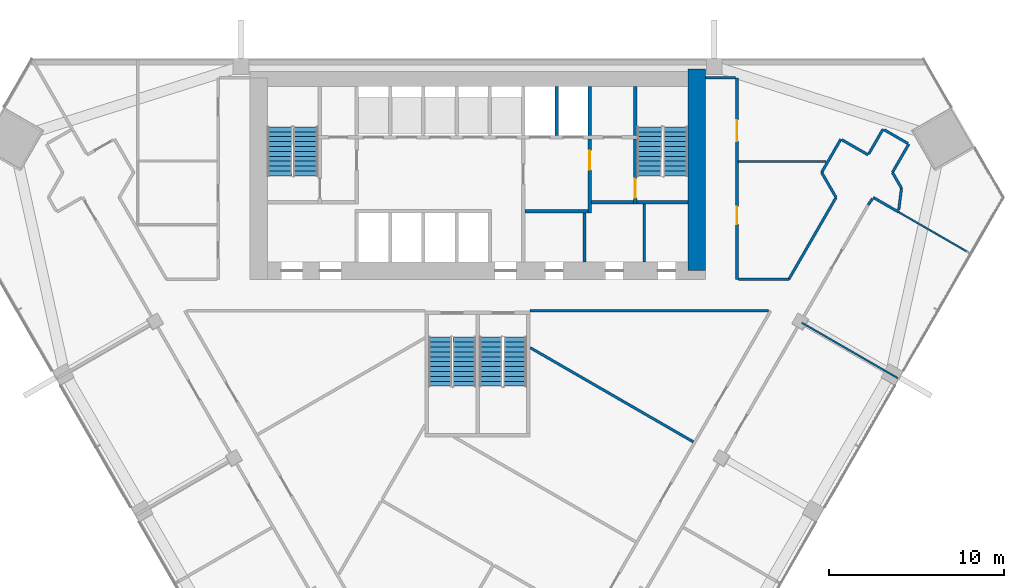
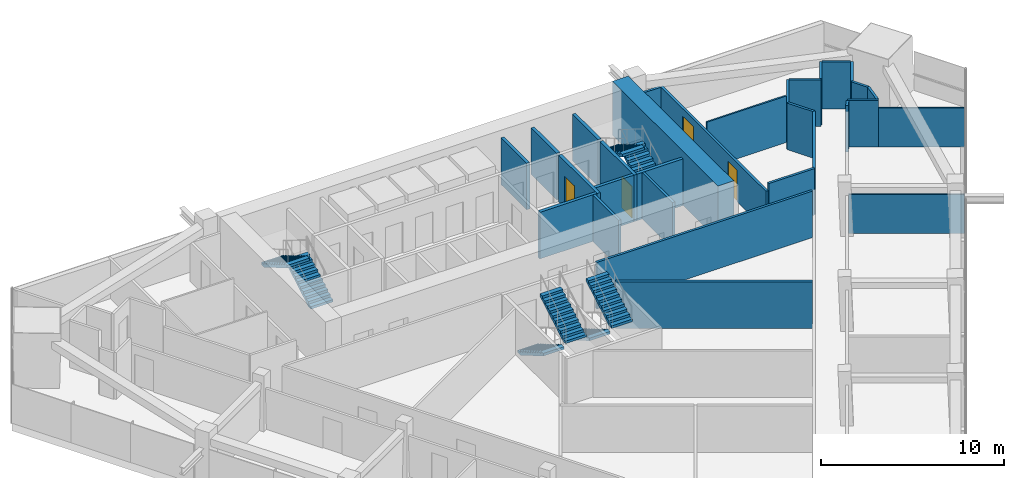
# One storey, part 11 of 13: 30 walls, 8 stair flights, 4 doors, 4 openings, 4 elements without a shape of their own.
"""IFC4 building model written with IfcOpenShell, lengths in metres."""

from ifc_helpers import new_model, si_unit, direction, frame, frame_2d, origin, place, context, subcontext, project, spatial, polyline, rectangle, outline, extrude, material, layer, layer_set, type_object, element, fill, aggregate, save


model = new_model("IFC4")

# Units and contexts
model_context = context("Model", 3, precision=1e-05, world=origin(), true_north=direction((0.0, 1.0)))
body_context = subcontext(model_context, "Body", "Model", "MODEL_VIEW")
ifc_project = project(units=[si_unit("LENGTHUNIT", "METRE"), si_unit("AREAUNIT", "SQUARE_METRE"), si_unit("VOLUMEUNIT", "CUBIC_METRE"), si_unit("PLANEANGLEUNIT", "RADIAN"), si_unit("MASSUNIT", "GRAM", prefix="KILO")], contexts=[model_context])

# Site, building, storey
site_placement = place(None, origin())
site = spatial("IfcSite", under=ifc_project, at=site_placement, CompositionType="ELEMENT")
building_placement = place(site_placement, origin())
building = spatial("IfcBuilding", under=site, at=building_placement, Name="Altiplano Prism Tower", CompositionType="ELEMENT")
storey_placement = place(building_placement, frame((0.0, 0.0, 66.60009765625)))
storey = spatial("IfcBuildingStorey", under=building, at=storey_placement, Name="L16", CompositionType="ELEMENT", Elevation=66.60009765625)

# Walls
ifc_material_1 = material(Name="Concrete C70/85", Category="concrete")
ifc_layer_1 = layer(ifc_material_1, 1.0)
ifc_layer_set_1 = layer_set([ifc_layer_1], Name="Concrete C70/85")
wall_type_1 = type_object("IfcWallType", Name="Core wall 1000", PredefinedType="SHEAR", material=ifc_layer_set_1)
wall_1_placement = place(storey_placement, frame((97.5, 92.89990234375, 0.0), z_axis=(0.0, 0.0, 1.0), x_axis=(0.0, 1.0, 0.0)))
element("IfcWall", 1, at=wall_1_placement, inside=storey, type_object=wall_type_1, Name="Core wall E L16", PredefinedType="SHEAR", context=body_context, shape_type="SweptSolid", body=[
    extrude(rectangle(XDim=11.5, YDim=1.0, at=frame_2d((5.75, 0.0))), origin(), (0.0, 0.0, 1.0), 3.599853515625),
])
ifc_material_2 = material(Name="Plasterboard on steel stud", Category="steel")
ifc_layer_2 = layer(ifc_material_2, 0.10009765625)
ifc_layer_set_2 = layer_set([ifc_layer_2], Name="Plasterboard on steel stud")
wall_type_2 = type_object("IfcWallType", Name="Partition 100 wet", PredefinedType="PARTITIONING", material=ifc_layer_set_2)
wall_2_placement = place(storey_placement, frame((108.969970703125, 86.765380859375, 0.0), z_axis=(0.0, 0.0, 1.0), x_axis=(-0.866032601554, 0.49998753289, 0.0)))
element("IfcWall", 2, at=wall_2_placement, inside=storey, type_object=wall_type_2, Name="Partition P03 L16 048", PredefinedType="PARTITIONING", context=body_context, shape_type="SweptSolid", body=[
    extrude(rectangle(XDim=6.324951171875, YDim=0.10009765625, at=frame_2d((3.16259765625, 0.0))), origin(), (0.0, 0.0, 1.0), 2.599853515625),
])
wall_3_placement = place(storey_placement, frame((113.0849609375, 93.892822265625, 0.0), z_axis=(0.0, 0.0, 1.0), x_axis=(-0.866038532462, 0.499977259774, 0.0)))
element("IfcWall", 3, at=wall_3_placement, inside=storey, type_object=wall_type_2, Name="Partition P03 L16 049", PredefinedType="PARTITIONING", context=body_context, shape_type="SweptSolid", body=[
    extrude(rectangle(XDim=4.699951171875, YDim=0.10009765625, at=frame_2d((2.35009765625, 0.0))), origin(), (0.0, 0.0, 1.0), 2.599853515625),
])
wall_4_placement = place(storey_placement, frame((99.875, 99.11865234375, 0.0), z_axis=(0.0, 0.0, 1.0), x_axis=(1.0, 0.0, 0.0)))
element("IfcWall", 4, at=wall_4_placement, inside=storey, type_object=wall_type_2, Name="Partition P03 L16 058", PredefinedType="PARTITIONING", context=body_context, shape_type="SweptSolid", body=[
    extrude(rectangle(XDim=4.995361328125, YDim=0.10009765625, at=frame_2d((2.49755859375, 0.0))), origin(), (0.0, 0.0, 1.0), 3.099853515625),
])
ifc_layer_3 = layer(ifc_material_2, 0.14990234375)
ifc_layer_set_3 = layer_set([ifc_layer_3], Name="Plasterboard on steel stud")
wall_type_3 = type_object("IfcWallType", Name="Partition 150 corridor", PredefinedType="PARTITIONING", material=ifc_layer_set_3)
wall_5_placement = place(storey_placement, frame((107.28564453125, 96.64794921875, 0.0), z_axis=(0.0, 0.0, 1.0), x_axis=(0.565021791191, 0.82507598164, 0.0)))
element("IfcWall", 5, at=wall_5_placement, inside=storey, type_object=wall_type_3, Name="Partition P06 L16 017", PredefinedType="PARTITIONING", context=body_context, shape_type="SweptSolid", body=[
    extrude(rectangle(XDim=0.440185546875, YDim=0.14990234375, at=frame_2d((0.22021484375, 0.0))), origin(), (0.0, 0.0, 1.0), 3.099853515625),
])
wall_6_placement = place(storey_placement, frame((107.57666015625, 97.072998046875, 0.0), z_axis=(0.0, 0.0, 1.0), x_axis=(0.865999293341, -0.500045221889, 0.0)))
element("IfcWall", 6, at=wall_6_placement, inside=storey, type_object=wall_type_3, Name="Partition P06 L16 018", PredefinedType="PARTITIONING", context=body_context, shape_type="SweptSolid", body=[
    extrude(rectangle(XDim=1.680419921875, YDim=0.14990234375, at=frame_2d((0.84033203125, 0.0))), origin(), (0.0, 0.0, 1.0), 3.099853515625),
])
wall_7_placement = place(storey_placement, frame((88.0, 90.59912109375, 0.0), z_axis=(0.0, 0.0, 1.0), x_axis=(0.999999997416, 7.1882974e-05, 0.0)))
element("IfcWall", 7, at=wall_7_placement, inside=storey, type_object=wall_type_3, Name="Partition P06 L16 021", PredefinedType="PARTITIONING", context=body_context, shape_type="SweptSolid", body=[
    extrude(rectangle(XDim=13.58544921875, YDim=0.14990234375, at=frame_2d((6.792724609375, 0.0))), origin(), (0.0, 0.0, 1.0), 3.099853515625),
])
wall_8_placement = place(storey_placement, frame((99.72509765625, 103.89990234375, 0.0), z_axis=(0.0, 0.0, 1.0), x_axis=(-1.0, 0.0, 0.0)))
element("IfcWall", 8, at=wall_8_placement, inside=storey, type_object=wall_type_3, Name="Partition P06 L16 023", PredefinedType="PARTITIONING", context=body_context, shape_type="SweptSolid", body=[
    extrude(rectangle(XDim=1.72509765625, YDim=0.14990234375, at=frame_2d((0.862548828125, 0.0))), origin(), (0.0, 0.0, 1.0), 2.599853515625),
])
wall_9_placement = place(storey_placement, frame((109.029052734375, 96.354736328125, 0.0), z_axis=(0.0, 0.0, 1.0), x_axis=(0.126039175565, 0.992025264912, 0.0)))
element("IfcWall", 9, at=wall_9_placement, inside=storey, type_object=wall_type_3, Name="Partition P06 L16 024", PredefinedType="PARTITIONING", context=body_context, shape_type="SweptSolid", body=[
    extrude(rectangle(XDim=1.259033203125, YDim=0.14990234375, at=frame_2d((0.62939453125, 0.0))), origin(), (0.0, 0.0, 1.0), 3.099853515625),
])
wall_10_placement = place(storey_placement, frame((109.187744140625, 97.603759765625, 0.0), z_axis=(0.0, 0.0, 1.0), x_axis=(-0.500096801311, 0.865969508308, 0.0)))
element("IfcWall", 10, at=wall_10_placement, inside=storey, type_object=wall_type_3, Name="Partition P06 L16 025", PredefinedType="PARTITIONING", context=body_context, shape_type="SweptSolid", body=[
    extrude(rectangle(XDim=1.034912109375, YDim=0.14990234375, at=frame_2d((0.517578125, 0.0))), origin(), (0.0, 0.0, 1.0), 3.099853515625),
])
wall_11_placement = place(storey_placement, frame((108.670166015625, 98.5, 0.0), z_axis=(0.0, 0.0, 1.0), x_axis=(0.499951854219, 0.86605319898, 0.0)))
element("IfcWall", 11, at=wall_11_placement, inside=storey, type_object=wall_type_3, Name="Partition P06 L16 026", PredefinedType="PARTITIONING", context=body_context, shape_type="SweptSolid", body=[
    extrude(rectangle(XDim=1.873291015625, YDim=0.14990234375, at=frame_2d((0.9365234375, 0.0))), origin(), (0.0, 0.0, 1.0), 3.099853515625),
])
wall_12_placement = place(storey_placement, frame((109.541748046875, 100.15966796875, 0.0), z_axis=(0.0, 0.0, 1.0), x_axis=(-0.865975732936, 0.500086022567, 0.0)))
element("IfcWall", 12, at=wall_12_placement, inside=storey, type_object=wall_type_3, Name="Partition P06 L16 027", PredefinedType="PARTITIONING", context=body_context, shape_type="SweptSolid", body=[
    extrude(rectangle(XDim=1.550048828125, YDim=0.14990234375, at=frame_2d((0.77490234375, 0.0))), origin(), (0.0, 0.0, 1.0), 3.099853515625),
])
wall_13_placement = place(storey_placement, frame((108.134521484375, 100.97216796875, 0.0), z_axis=(0.0, 0.0, 1.0), x_axis=(-0.500017246033, -0.866015446554, 0.0)))
element("IfcWall", 13, at=wall_13_placement, inside=storey, type_object=wall_type_3, Name="Partition P06 L16 028", PredefinedType="PARTITIONING", context=body_context, shape_type="SweptSolid", body=[
    extrude(rectangle(XDim=1.625, YDim=0.14990234375, at=frame_2d((0.8125, 0.0))), origin(), (0.0, 0.0, 1.0), 3.099853515625),
])
wall_14_placement = place(storey_placement, frame((107.284423828125, 99.5, 0.0), z_axis=(0.0, 0.0, 1.0), x_axis=(-0.866013532718, 0.500020560727, 0.0)))
element("IfcWall", 14, at=wall_14_placement, inside=storey, type_object=wall_type_3, Name="Partition P06 L16 029", PredefinedType="PARTITIONING", context=body_context, shape_type="SweptSolid", body=[
    extrude(rectangle(XDim=1.72509765625, YDim=0.14990234375, at=frame_2d((0.862548828125, 0.0))), origin(), (0.0, 0.0, 1.0), 3.099853515625),
])
wall_15_placement = place(storey_placement, frame((105.7255859375, 100.39990234375, 0.0), z_axis=(0.0, 0.0, 1.0), x_axis=(-0.500005024956, -0.866022502605, 0.0)))
element("IfcWall", 15, at=wall_15_placement, inside=storey, type_object=wall_type_3, Name="Partition P06 L16 030", PredefinedType="PARTITIONING", context=body_context, shape_type="SweptSolid", body=[
    extrude(rectangle(XDim=2.19384765625, YDim=0.14990234375, at=frame_2d((1.096923828125, 0.0))), origin(), (0.0, 0.0, 1.0), 3.099853515625),
])
wall_16_placement = place(storey_placement, frame((104.628662109375, 98.5, 0.0), z_axis=(0.0, 0.0, 1.0), x_axis=(0.500043078269, -0.866000531106, 0.0)))
element("IfcWall", 16, at=wall_16_placement, inside=storey, type_object=wall_type_3, Name="Partition P06 L16 031", PredefinedType="PARTITIONING", context=body_context, shape_type="SweptSolid", body=[
    extrude(rectangle(XDim=1.647705078125, YDim=0.14990234375, at=frame_2d((0.82373046875, 0.0))), origin(), (0.0, 0.0, 1.0), 3.099853515625),
])
wall_17_placement = place(storey_placement, frame((105.45263671875, 97.072998046875, 0.0), z_axis=(0.0, 0.0, 1.0), x_axis=(-0.499997913005, -0.866026608708, 0.0)))
element("IfcWall", 17, at=wall_17_placement, inside=storey, type_object=wall_type_3, Name="Partition P06 L16 032", PredefinedType="PARTITIONING", context=body_context, shape_type="SweptSolid", body=[
    extrude(rectangle(XDim=5.39599609375, YDim=0.14990234375, at=frame_2d((2.697998046875, 0.0))), origin(), (0.0, 0.0, 1.0), 3.099853515625),
])
wall_18_placement = place(storey_placement, frame((102.754638671875, 92.39990234375, 0.0), z_axis=(0.0, 0.0, 1.0), x_axis=(-1.0, 0.0, 0.0)))
element("IfcWall", 18, at=wall_18_placement, inside=storey, type_object=wall_type_3, Name="Partition P06 L16 033", PredefinedType="PARTITIONING", context=body_context, shape_type="SweptSolid", body=[
    extrude(rectangle(XDim=2.879638671875, YDim=0.14990234375, at=frame_2d((1.43994140625, 0.0))), origin(), (0.0, 0.0, 1.0), 3.099853515625),
])

# Wall, openings, doors
wall_19_placement = place(storey_placement, frame((99.800048828125, 92.39990234375, 0.0), z_axis=(0.0, 0.0, 1.0), x_axis=(0.0, 1.0, 0.0)))
wall_19 = element("IfcWall", 19, at=wall_19_placement, inside=storey, type_object=wall_type_3, Name="Partition P06 L16 034", PredefinedType="PARTITIONING", context=body_context, shape_type="SweptSolid", body=[
    extrude(rectangle(XDim=11.5, YDim=0.14990234375, at=frame_2d((5.75, 0.0))), origin(), (0.0, 0.0, 1.0), 2.599853515625),
])
opening_1_placement = place(wall_19_placement, frame((7.884033203125, 0.0, 0.0)))
opening_1 = element("IfcOpeningElement", 20, at=opening_1_placement, cuts=wall_19, Name="Opening D0643", PredefinedType="OPENING", context=body_context, shape_type="SweptSolid", body=[
    extrude(rectangle(XDim=1.199951171875, YDim=2.10009765625, at=frame_2d((0.60009765625, 1.050048828125))), frame((0.0, 0.08544921875, 0.0), z_axis=(0.0, -1.0, 0.0), x_axis=(1.0, 0.0, 0.0)), (0.0, 0.0, 1.0), 0.1708984375),
])
opening_2_placement = place(wall_19_placement, frame((3.14697265625, 0.0, 0.0)))
opening_2 = element("IfcOpeningElement", 21, at=opening_2_placement, cuts=wall_19, Name="Opening D0645", PredefinedType="OPENING", context=body_context, shape_type="SweptSolid", body=[
    extrude(rectangle(XDim=1.0, YDim=2.10009765625, at=frame_2d((0.5, 1.050048828125))), frame((0.0, 0.08544921875, 0.0), z_axis=(0.0, -1.0, 0.0), x_axis=(1.0, 0.0, 0.0)), (0.0, 0.0, 1.0), 0.1708984375),
])
ifc_material_3 = material(Name="Timber", Category="wood")
door_type_1 = type_object("IfcDoorType", Name="Room door 1000 x 2100", OperationType="NOTDEFINED", PredefinedType="NOTDEFINED", material=ifc_material_3)
door_1_placement = place(opening_2_placement, origin())
door_1 = element("IfcDoor", 22, at=door_1_placement, inside=storey, type_object=door_type_1, Name="Door D0645", OperationType="SINGLE_SWING_RIGHT", OverallHeight=2.10009765625, OverallWidth=1.0, PredefinedType="NOTDEFINED", context=body_context, shape_type="SweptSolid", body=[
    extrude(rectangle(XDim=1.0, YDim=2.10009765625, at=frame_2d((0.5, 1.050048828125))), frame((0.0, 0.02490234375, 0.0), z_axis=(0.0, -1.0, 0.0), x_axis=(1.0, 0.0, 0.0)), (0.0, 0.0, 1.0), 0.050048828125),
])
fill(opening_2, door_1)
door_type_2 = type_object("IfcDoorType", Name="Shared room door 1200 x 2100", OperationType="NOTDEFINED", PredefinedType="NOTDEFINED", material=ifc_material_3)
door_2_placement = place(opening_1_placement, origin())
door_2 = element("IfcDoor", 23, at=door_2_placement, inside=storey, type_object=door_type_2, Name="Door D0643", OperationType="SINGLE_SWING_RIGHT", OverallHeight=2.10009765625, OverallWidth=1.199951171875, PredefinedType="NOTDEFINED", context=body_context, shape_type="SweptSolid", body=[
    extrude(rectangle(XDim=1.199951171875, YDim=2.10009765625, at=frame_2d((0.60009765625, 1.050048828125))), frame((0.0, 0.02490234375, 0.0), z_axis=(0.0, -1.0, 0.0), x_axis=(1.0, 0.0, 0.0)), (0.0, 0.0, 1.0), 0.050048828125),
])
fill(opening_1, door_2)

# Walls
ifc_layer_4 = layer(ifc_material_2, 0.14990234375)
ifc_layer_set_4 = layer_set([ifc_layer_4], Name="Plasterboard on steel stud")
wall_type_4 = type_object("IfcWallType", Name="Partition 150 party", PredefinedType="PARTITIONING", material=ifc_layer_set_4)
wall_20_placement = place(storey_placement, frame((97.311767578125, 83.12255859375, 0.0), z_axis=(0.0, 0.0, 1.0), x_axis=(-0.866022617577, 0.500004825822, 0.0)))
element("IfcWall", 24, at=wall_20_placement, inside=storey, type_object=wall_type_4, Name="Partition P01 L16 055", PredefinedType="PARTITIONING", context=body_context, shape_type="SweptSolid", body=[
    extrude(rectangle(XDim=10.75244140625, YDim=0.14990234375, at=frame_2d((5.376220703125, 0.0))), origin(), (0.0, 0.0, 1.0), 3.099853515625),
])
ifc_material_4 = material(Name="Fire-rated gypsum board partition")
ifc_layer_5 = layer(ifc_material_4, 0.14990234375)
ifc_layer_set_5 = layer_set([ifc_layer_5], Name="Fire-rated gypsum board partition")
wall_type_5 = type_object("IfcWallType", Name="Room partition 150", PredefinedType="PARTITIONING", material=ifc_layer_set_5)
wall_21_placement = place(storey_placement, frame((91.10009765625, 93.39990234375, 0.0), z_axis=(0.0, 0.0, 1.0), x_axis=(0.0, 1.0, 0.0)))
element("IfcWall", 25, at=wall_21_placement, inside=storey, type_object=wall_type_5, Name="Room partition L16", PredefinedType="PARTITIONING", context=body_context, shape_type="SweptSolid", body=[
    extrude(rectangle(XDim=2.800048828125, YDim=0.14990234375, at=frame_2d((1.39990234375, 0.0))), origin(), (0.0, 0.0, 1.0), 3.099853515625),
])
wall_22_placement = place(storey_placement, frame((94.5, 93.39990234375, 0.0), z_axis=(0.0, 0.0, 1.0), x_axis=(0.0, 1.0, 0.0)))
element("IfcWall", 26, at=wall_22_placement, inside=storey, type_object=wall_type_5, Name="Room partition L16", PredefinedType="PARTITIONING", context=body_context, shape_type="SweptSolid", body=[
    extrude(rectangle(XDim=3.300048828125, YDim=0.14990234375, at=frame_2d((1.64990234375, 0.0))), origin(), (0.0, 0.0, 1.0), 3.099853515625),
])
ifc_material_5 = material(Name="Concrete C60/75", Category="concrete")
ifc_layer_6 = layer(ifc_material_5, 0.199951171875)
ifc_layer_set_6 = layer_set([ifc_layer_6], Name="Concrete C60/75")
wall_type_6 = type_object("IfcWallType", Name="Shaft wall 200", PredefinedType="SOLIDWALL", material=ifc_layer_set_6)
for number, where, z_axis, x_axis, name in (
    (27, (89.5, 100.60009765625, 0.0), (0.0, 0.0, 1.0), (0.0, 1.0, 0.0), "Shaft wall L16"),
    (28, (91.39990234375, 100.60009765625, 0.0), (0.0, 0.0, 1.0), (0.0, 1.0, 0.0), "Shaft wall L16"),
):
    element("IfcWall", number, at=place(storey_placement, frame(where, z_axis=z_axis, x_axis=x_axis)), inside=storey, type_object=wall_type_6, Name=name, PredefinedType="SOLIDWALL", context=body_context, shape_type="SweptSolid", body=[
        extrude(rectangle(XDim=2.7998046875, YDim=0.199951171875, at=frame_2d((1.39990234375, 0.0))), origin(), (0.0, 0.0, 1.0), 3.099853515625),
    ])

# Wall, opening, door
ifc_layer_7 = layer(ifc_material_5, 0.199951171875)
ifc_layer_set_7 = layer_set([ifc_layer_7], Name="Concrete C60/75")
wall_type_7 = type_object("IfcWallType", Name="Stair wall 200", PredefinedType="SOLIDWALL", material=ifc_layer_set_7)
wall_23_placement = place(storey_placement, frame((94.0, 96.699951171875, 0.0), z_axis=(0.0, 0.0, 1.0), x_axis=(0.0, 1.0, 0.0)))
wall_23 = element("IfcWall", 29, at=wall_23_placement, inside=storey, type_object=wall_type_7, Name="Stair wall L16", PredefinedType="SOLIDWALL", context=body_context, shape_type="SweptSolid", body=[
    extrude(rectangle(XDim=3.699951171875, YDim=0.199951171875, at=frame_2d((1.85009765625, 0.0))), origin(), (0.0, 0.0, 1.0), 3.099853515625),
])
opening_3_placement = place(wall_23_placement, frame((0.35009765625, 0.0, 0.0)))
opening_3 = element("IfcOpeningElement", 30, at=opening_3_placement, cuts=wall_23, Name="Opening D2802", PredefinedType="OPENING", context=body_context, shape_type="SweptSolid", body=[
    extrude(rectangle(XDim=1.10009765625, YDim=2.10009765625, at=frame_2d((0.550048828125, 1.050048828125))), frame((0.0, 0.1103515625, 0.0), z_axis=(0.0, -1.0, 0.0), x_axis=(1.0, 0.0, 0.0)), (0.0, 0.0, 1.0), 0.220947265625),
])
ifc_material_6 = material(Name="Fire-rated steel door", Category="steel")
door_type_3 = type_object("IfcDoorType", Name="Stair fire door 1100 x 2100", OperationType="NOTDEFINED", PredefinedType="NOTDEFINED", material=ifc_material_6)
door_3_placement = place(opening_3_placement, origin())
door_3 = element("IfcDoor", 31, at=door_3_placement, inside=storey, type_object=door_type_3, Name="Stair fire door D2802", OperationType="SINGLE_SWING_LEFT", OverallHeight=2.10009765625, OverallWidth=1.10009765625, PredefinedType="NOTDEFINED", context=body_context, shape_type="SweptSolid", body=[
    extrude(rectangle(XDim=1.10009765625, YDim=2.10009765625, at=frame_2d((0.550048828125, 1.050048828125))), frame((0.0, 0.02490234375, 0.0), z_axis=(0.0, -1.0, 0.0), x_axis=(1.0, 0.0, 0.0)), (0.0, 0.0, 1.0), 0.050048828125),
])
fill(opening_3, door_3)

# Walls
wall_24_placement = place(storey_placement, frame((94.10009765625, 96.800048828125, 0.0), z_axis=(0.0, 0.0, 1.0), x_axis=(1.0, 0.0, 0.0)))
element("IfcWall", 32, at=wall_24_placement, inside=storey, type_object=wall_type_7, Name="Stair wall L16", PredefinedType="SOLIDWALL", context=body_context, shape_type="SweptSolid", body=[
    extrude(rectangle(XDim=2.89990234375, YDim=0.199951171875, at=frame_2d((1.449951171875, 0.0))), origin(), (0.0, 0.0, 1.0), 3.099853515625),
])
wall_25_placement = place(storey_placement, frame((94.0, 100.60009765625, 0.0), z_axis=(0.0, 0.0, 1.0), x_axis=(0.0, 1.0, 0.0)))
element("IfcWall", 33, at=wall_25_placement, inside=storey, type_object=wall_type_7, Name="Stair wall L16", PredefinedType="SOLIDWALL", context=body_context, shape_type="SweptSolid", body=[
    extrude(rectangle(XDim=2.7998046875, YDim=0.199951171875, at=frame_2d((1.39990234375, 0.0))), origin(), (0.0, 0.0, 1.0), 3.099853515625),
])
ifc_layer_8 = layer(ifc_material_5, 0.199951171875)
ifc_layer_set_8 = layer_set([ifc_layer_8], Name="Concrete C60/75")
wall_type_8 = type_object("IfcWallType", Name="Vestibule wall 200", PredefinedType="PARTITIONING", material=ifc_layer_set_8)
wall_26_placement = place(storey_placement, frame((87.699951171875, 96.300048828125, 0.0), z_axis=(0.0, 0.0, 1.0), x_axis=(1.0, 0.0, 0.0)))
element("IfcWall", 34, at=wall_26_placement, inside=storey, type_object=wall_type_8, Name="Vestibule wall L16", PredefinedType="PARTITIONING", context=body_context, shape_type="SweptSolid", body=[
    extrude(rectangle(XDim=3.60009765625, YDim=0.199951171875, at=frame_2d((1.800048828125, 0.0))), origin(), (0.0, 0.0, 1.0), 3.099853515625),
])

# Wall, opening, door
wall_27_placement = place(storey_placement, frame((91.39990234375, 96.199951171875, 0.0), z_axis=(0.0, 0.0, 1.0), x_axis=(0.0, 1.0, 0.0)))
wall_27 = element("IfcWall", 35, at=wall_27_placement, inside=storey, type_object=wall_type_8, Name="Vestibule wall L16", PredefinedType="PARTITIONING", context=body_context, shape_type="SweptSolid", body=[
    extrude(rectangle(XDim=4.199951171875, YDim=0.199951171875, at=frame_2d((2.10009765625, 0.0))), origin(), (0.0, 0.0, 1.0), 3.099853515625),
])
opening_4_placement = place(wall_27_placement, frame((2.449951171875, 0.0, 0.0)))
opening_4 = element("IfcOpeningElement", 36, at=opening_4_placement, cuts=wall_27, Name="Opening D2805", PredefinedType="OPENING", context=body_context, shape_type="SweptSolid", body=[
    extrude(rectangle(XDim=1.10009765625, YDim=2.10009765625, at=frame_2d((0.550048828125, 1.050048828125))), frame((0.0, 0.1103515625, 0.0), z_axis=(0.0, -1.0, 0.0), x_axis=(1.0, 0.0, 0.0)), (0.0, 0.0, 1.0), 0.220947265625),
])
door_type_4 = type_object("IfcDoorType", Name="Vestibule fire door 1100 x 2100", OperationType="NOTDEFINED", PredefinedType="NOTDEFINED", material=ifc_material_6)
door_4_placement = place(opening_4_placement, origin())
door_4 = element("IfcDoor", 37, at=door_4_placement, inside=storey, type_object=door_type_4, Name="Vestibule fire door D2805", OperationType="SINGLE_SWING_LEFT", OverallHeight=2.10009765625, OverallWidth=1.10009765625, PredefinedType="NOTDEFINED", context=body_context, shape_type="SweptSolid", body=[
    extrude(rectangle(XDim=1.10009765625, YDim=2.10009765625, at=frame_2d((0.550048828125, 1.050048828125))), frame((0.0, 0.02490234375, 0.0), z_axis=(0.0, -1.0, 0.0), x_axis=(1.0, 0.0, 0.0)), (0.0, 0.0, 1.0), 0.050048828125),
])
fill(opening_4, door_4)

# Wall
wall_28_placement = place(storey_placement, frame((91.5, 96.800048828125, 0.0), z_axis=(0.0, 0.0, 1.0), x_axis=(1.0, 0.0, 0.0)))
element("IfcWall", 38, at=wall_28_placement, inside=storey, type_object=wall_type_8, Name="Vestibule wall L16", PredefinedType="PARTITIONING", context=body_context, shape_type="SweptSolid", body=[
    extrude(rectangle(XDim=2.39990234375, YDim=0.199951171875, at=frame_2d((1.199951171875, 0.0))), origin(), (0.0, 0.0, 1.0), 3.099853515625),
])

# Stair, stair flights
ifc_material_7 = material(Name="Concrete C40/50", Category="concrete")
stair_type_1 = type_object("IfcStairType", Name="Exit stair 1400", PredefinedType="HALF_TURN_STAIR", material=ifc_material_7)
stair_1_placement = place(storey_placement, origin())
stair_1 = element("IfcStair", 39, at=stair_1_placement, inside=storey, type_object=stair_type_1, Name="L16 Exit Stair 1", PredefinedType="HALF_TURN_STAIR")
stair_flight_type = type_object("IfcStairFlightType", Name="Stair flight concrete 150", PredefinedType="STRAIGHT", material=ifc_material_7)
stair_flight_1_placement = place(storey_placement, frame((75.199951171875, 98.300048828125, 0.0), z_axis=(0.0, 0.0, 1.0), x_axis=(0.0, 1.0, 0.0)))
stair_flight_1 = element("IfcStairFlight", 40, at=stair_flight_1_placement, type_object=stair_flight_type, Name="ST1 flight 1", NumberOfRisers=11, NumberOfTreads=10, PredefinedType="STRAIGHT", RiserHeight=0.163636364, TreadLength=0.28, context=body_context, shape_type="SweptSolid", body=[
    extrude(outline(polyline([(0.0, 0.0), (0.0, 0.16357421875), (0.280029296875, 0.16357421875), (0.280029296875, 0.327392578125), (0.56005859375, 0.327392578125), (0.56005859375, 0.490966796875), (0.840087890625, 0.490966796875), (0.840087890625, 0.654541015625), (1.1201171875, 0.654541015625), (1.1201171875, 0.818115234375), (1.39990234375, 0.818115234375), (1.39990234375, 0.98193359375), (1.679931640625, 0.98193359375), (1.679931640625, 1.1455078125), (1.9599609375, 1.1455078125), (1.9599609375, 1.30908203125), (2.239990234375, 1.30908203125), (2.239990234375, 1.47265625), (2.52001953125, 1.47265625), (2.52001953125, 1.636474609375), (2.800048828125, 1.636474609375), (2.800048828125, 1.800048828125), (2.800048828125, 1.462646484375), (0.297119140625, 0.0), (0.0, 0.0)])), frame((0.0, 0.699951171875, 0.0), z_axis=(0.0, -1.0, 0.0), x_axis=(1.0, 0.0, 0.0)), (0.0, 0.0, 1.0), 1.39990234375),
])
stair_flight_2_placement = place(storey_placement, frame((73.699951171875, 101.10009765625, 1.7998046875), z_axis=(0.0, 0.0, 1.0), x_axis=(0.0, -1.0, 0.0)))
stair_flight_2 = element("IfcStairFlight", 41, at=stair_flight_2_placement, type_object=stair_flight_type, Name="ST1 flight 2", NumberOfRisers=11, NumberOfTreads=10, PredefinedType="STRAIGHT", RiserHeight=0.163636364, TreadLength=0.28, context=body_context, shape_type="SweptSolid", body=[
    extrude(outline(polyline([(0.0, 0.0), (0.0, 0.16357421875), (0.280029296875, 0.16357421875), (0.280029296875, 0.327392578125), (0.56005859375, 0.327392578125), (0.56005859375, 0.490966796875), (0.840087890625, 0.490966796875), (0.840087890625, 0.654541015625), (1.1201171875, 0.654541015625), (1.1201171875, 0.818115234375), (1.39990234375, 0.818115234375), (1.39990234375, 0.98193359375), (1.679931640625, 0.98193359375), (1.679931640625, 1.1455078125), (1.9599609375, 1.1455078125), (1.9599609375, 1.30908203125), (2.239990234375, 1.30908203125), (2.239990234375, 1.47265625), (2.52001953125, 1.47265625), (2.52001953125, 1.636474609375), (2.800048828125, 1.636474609375), (2.800048828125, 1.800048828125), (2.800048828125, 1.462646484375), (0.297119140625, 0.0), (0.0, 0.0)])), frame((0.0, 0.699951171875, 0.0), z_axis=(0.0, -1.0, 0.0), x_axis=(1.0, 0.0, 0.0)), (0.0, 0.0, 1.0), 1.39990234375),
])
aggregate(stair_1, [stair_flight_1, stair_flight_2])

stair_2_placement = place(storey_placement, origin())
stair_2 = element("IfcStair", 42, at=stair_2_placement, inside=storey, type_object=stair_type_1, Name="L16 Exit Stair 2", PredefinedType="HALF_TURN_STAIR")
stair_flight_3_placement = place(storey_placement, frame((96.300048828125, 98.300048828125, 0.0), z_axis=(0.0, 0.0, 1.0), x_axis=(0.0, 1.0, 0.0)))
stair_flight_3 = element("IfcStairFlight", 43, at=stair_flight_3_placement, type_object=stair_flight_type, Name="ST2 flight 1", NumberOfRisers=11, NumberOfTreads=10, PredefinedType="STRAIGHT", RiserHeight=0.163636364, TreadLength=0.28, context=body_context, shape_type="SweptSolid", body=[
    extrude(outline(polyline([(0.0, 0.0), (0.0, 0.16357421875), (0.280029296875, 0.16357421875), (0.280029296875, 0.327392578125), (0.56005859375, 0.327392578125), (0.56005859375, 0.490966796875), (0.840087890625, 0.490966796875), (0.840087890625, 0.654541015625), (1.1201171875, 0.654541015625), (1.1201171875, 0.818115234375), (1.39990234375, 0.818115234375), (1.39990234375, 0.98193359375), (1.679931640625, 0.98193359375), (1.679931640625, 1.1455078125), (1.9599609375, 1.1455078125), (1.9599609375, 1.30908203125), (2.239990234375, 1.30908203125), (2.239990234375, 1.47265625), (2.52001953125, 1.47265625), (2.52001953125, 1.636474609375), (2.800048828125, 1.636474609375), (2.800048828125, 1.800048828125), (2.800048828125, 1.462646484375), (0.297119140625, 0.0), (0.0, 0.0)])), frame((0.0, 0.699951171875, 0.0), z_axis=(0.0, -1.0, 0.0), x_axis=(1.0, 0.0, 0.0)), (0.0, 0.0, 1.0), 1.39990234375),
])
stair_flight_4_placement = place(storey_placement, frame((94.800048828125, 101.10009765625, 1.7998046875), z_axis=(0.0, 0.0, 1.0), x_axis=(0.0, -1.0, 0.0)))
stair_flight_4 = element("IfcStairFlight", 44, at=stair_flight_4_placement, type_object=stair_flight_type, Name="ST2 flight 2", NumberOfRisers=11, NumberOfTreads=10, PredefinedType="STRAIGHT", RiserHeight=0.163636364, TreadLength=0.28, context=body_context, shape_type="SweptSolid", body=[
    extrude(outline(polyline([(0.0, 0.0), (0.0, 0.16357421875), (0.280029296875, 0.16357421875), (0.280029296875, 0.327392578125), (0.56005859375, 0.327392578125), (0.56005859375, 0.490966796875), (0.840087890625, 0.490966796875), (0.840087890625, 0.654541015625), (1.1201171875, 0.654541015625), (1.1201171875, 0.818115234375), (1.39990234375, 0.818115234375), (1.39990234375, 0.98193359375), (1.679931640625, 0.98193359375), (1.679931640625, 1.1455078125), (1.9599609375, 1.1455078125), (1.9599609375, 1.30908203125), (2.239990234375, 1.30908203125), (2.239990234375, 1.47265625), (2.52001953125, 1.47265625), (2.52001953125, 1.636474609375), (2.800048828125, 1.636474609375), (2.800048828125, 1.800048828125), (2.800048828125, 1.462646484375), (0.297119140625, 0.0), (0.0, 0.0)])), frame((0.0, 0.699951171875, 0.0), z_axis=(0.0, -1.0, 0.0), x_axis=(1.0, 0.0, 0.0)), (0.0, 0.0, 1.0), 1.39990234375),
])
aggregate(stair_2, [stair_flight_3, stair_flight_4])

stair_type_2 = type_object("IfcStairType", Name="Exit stair 1300", PredefinedType="HALF_TURN_STAIR", material=ifc_material_7)
stair_3_placement = place(storey_placement, origin())
stair_3 = element("IfcStair", 45, at=stair_3_placement, inside=storey, type_object=stair_type_2, Name="L16 Exit Stair 3A", PredefinedType="HALF_TURN_STAIR")
stair_flight_5_placement = place(storey_placement, frame((82.85009765625, 89.10009765625, 0.0), z_axis=(0.0, 0.0, 1.0), x_axis=(0.0, -1.0, 0.0)))
stair_flight_5 = element("IfcStairFlight", 46, at=stair_flight_5_placement, type_object=stair_flight_type, Name="ST3A flight 1", NumberOfRisers=11, NumberOfTreads=10, PredefinedType="STRAIGHT", RiserHeight=0.163636364, TreadLength=0.28, context=body_context, shape_type="SweptSolid", body=[
    extrude(outline(polyline([(0.0, 0.0), (0.0, 0.16357421875), (0.280029296875, 0.16357421875), (0.280029296875, 0.327392578125), (0.56005859375, 0.327392578125), (0.56005859375, 0.490966796875), (0.840087890625, 0.490966796875), (0.840087890625, 0.654541015625), (1.1201171875, 0.654541015625), (1.1201171875, 0.818115234375), (1.39990234375, 0.818115234375), (1.39990234375, 0.98193359375), (1.679931640625, 0.98193359375), (1.679931640625, 1.1455078125), (1.9599609375, 1.1455078125), (1.9599609375, 1.30908203125), (2.239990234375, 1.30908203125), (2.239990234375, 1.47265625), (2.52001953125, 1.47265625), (2.52001953125, 1.636474609375), (2.800048828125, 1.636474609375), (2.800048828125, 1.800048828125), (2.800048828125, 1.462646484375), (0.297119140625, 0.0), (0.0, 0.0)])), frame((0.0, 0.64990234375, 0.0), z_axis=(0.0, -1.0, 0.0), x_axis=(1.0, 0.0, 0.0)), (0.0, 0.0, 1.0), 1.300048828125),
])
stair_flight_6_placement = place(storey_placement, frame((84.25, 86.300048828125, 1.7998046875), z_axis=(0.0, 0.0, 1.0), x_axis=(0.0, 1.0, 0.0)))
stair_flight_6 = element("IfcStairFlight", 47, at=stair_flight_6_placement, type_object=stair_flight_type, Name="ST3A flight 2", NumberOfRisers=11, NumberOfTreads=10, PredefinedType="STRAIGHT", RiserHeight=0.163636364, TreadLength=0.28, context=body_context, shape_type="SweptSolid", body=[
    extrude(outline(polyline([(0.0, 0.0), (0.0, 0.16357421875), (0.280029296875, 0.16357421875), (0.280029296875, 0.327392578125), (0.56005859375, 0.327392578125), (0.56005859375, 0.490966796875), (0.840087890625, 0.490966796875), (0.840087890625, 0.654541015625), (1.1201171875, 0.654541015625), (1.1201171875, 0.818115234375), (1.39990234375, 0.818115234375), (1.39990234375, 0.98193359375), (1.679931640625, 0.98193359375), (1.679931640625, 1.1455078125), (1.9599609375, 1.1455078125), (1.9599609375, 1.30908203125), (2.239990234375, 1.30908203125), (2.239990234375, 1.47265625), (2.52001953125, 1.47265625), (2.52001953125, 1.636474609375), (2.800048828125, 1.636474609375), (2.800048828125, 1.800048828125), (2.800048828125, 1.462646484375), (0.297119140625, 0.0), (0.0, 0.0)])), frame((0.0, 0.64990234375, 0.0), z_axis=(0.0, -1.0, 0.0), x_axis=(1.0, 0.0, 0.0)), (0.0, 0.0, 1.0), 1.300048828125),
])
aggregate(stair_3, [stair_flight_5, stair_flight_6])

stair_4_placement = place(storey_placement, origin())
stair_4 = element("IfcStair", 48, at=stair_4_placement, inside=storey, type_object=stair_type_2, Name="L16 Exit Stair 3B", PredefinedType="HALF_TURN_STAIR")
stair_flight_7_placement = place(storey_placement, frame((85.75, 89.10009765625, 0.0), z_axis=(0.0, 0.0, 1.0), x_axis=(0.0, -1.0, 0.0)))
stair_flight_7 = element("IfcStairFlight", 49, at=stair_flight_7_placement, type_object=stair_flight_type, Name="ST3B flight 1", NumberOfRisers=11, NumberOfTreads=10, PredefinedType="STRAIGHT", RiserHeight=0.163636364, TreadLength=0.28, context=body_context, shape_type="SweptSolid", body=[
    extrude(outline(polyline([(0.0, 0.0), (0.0, 0.16357421875), (0.280029296875, 0.16357421875), (0.280029296875, 0.327392578125), (0.56005859375, 0.327392578125), (0.56005859375, 0.490966796875), (0.840087890625, 0.490966796875), (0.840087890625, 0.654541015625), (1.1201171875, 0.654541015625), (1.1201171875, 0.818115234375), (1.39990234375, 0.818115234375), (1.39990234375, 0.98193359375), (1.679931640625, 0.98193359375), (1.679931640625, 1.1455078125), (1.9599609375, 1.1455078125), (1.9599609375, 1.30908203125), (2.239990234375, 1.30908203125), (2.239990234375, 1.47265625), (2.52001953125, 1.47265625), (2.52001953125, 1.636474609375), (2.800048828125, 1.636474609375), (2.800048828125, 1.800048828125), (2.800048828125, 1.462646484375), (0.297119140625, 0.0), (0.0, 0.0)])), frame((0.0, 0.64990234375, 0.0), z_axis=(0.0, -1.0, 0.0), x_axis=(1.0, 0.0, 0.0)), (0.0, 0.0, 1.0), 1.300048828125),
])
stair_flight_8_placement = place(storey_placement, frame((87.14990234375, 86.300048828125, 1.7998046875), z_axis=(0.0, 0.0, 1.0), x_axis=(0.0, 1.0, 0.0)))
stair_flight_8 = element("IfcStairFlight", 50, at=stair_flight_8_placement, type_object=stair_flight_type, Name="ST3B flight 2", NumberOfRisers=11, NumberOfTreads=10, PredefinedType="STRAIGHT", RiserHeight=0.163636364, TreadLength=0.28, context=body_context, shape_type="SweptSolid", body=[
    extrude(outline(polyline([(0.0, 0.0), (0.0, 0.16357421875), (0.280029296875, 0.16357421875), (0.280029296875, 0.327392578125), (0.56005859375, 0.327392578125), (0.56005859375, 0.490966796875), (0.840087890625, 0.490966796875), (0.840087890625, 0.654541015625), (1.1201171875, 0.654541015625), (1.1201171875, 0.818115234375), (1.39990234375, 0.818115234375), (1.39990234375, 0.98193359375), (1.679931640625, 0.98193359375), (1.679931640625, 1.1455078125), (1.9599609375, 1.1455078125), (1.9599609375, 1.30908203125), (2.239990234375, 1.30908203125), (2.239990234375, 1.47265625), (2.52001953125, 1.47265625), (2.52001953125, 1.636474609375), (2.800048828125, 1.636474609375), (2.800048828125, 1.800048828125), (2.800048828125, 1.462646484375), (0.297119140625, 0.0), (0.0, 0.0)])), frame((0.0, 0.64990234375, 0.0), z_axis=(0.0, -1.0, 0.0), x_axis=(1.0, 0.0, 0.0)), (0.0, 0.0, 1.0), 1.300048828125),
])
aggregate(stair_4, [stair_flight_7, stair_flight_8])

save(model, "model.ifc")
